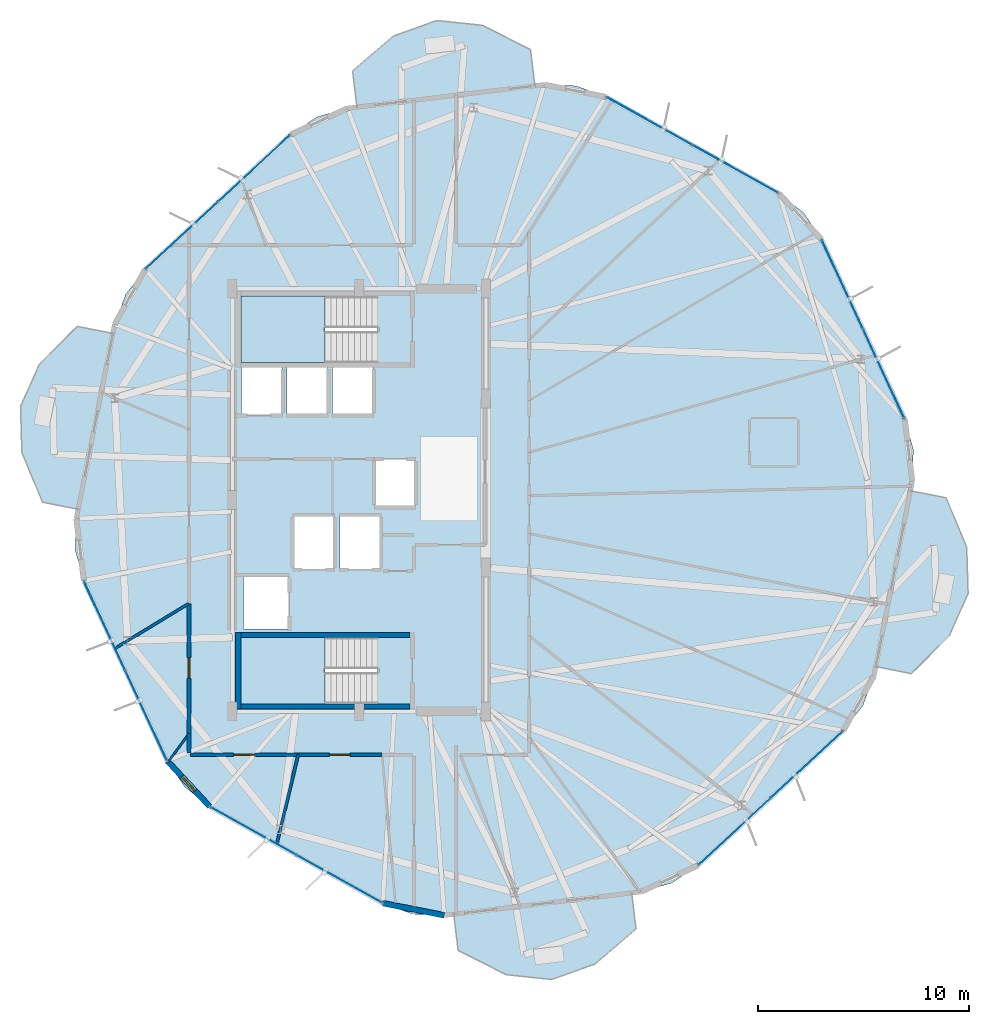
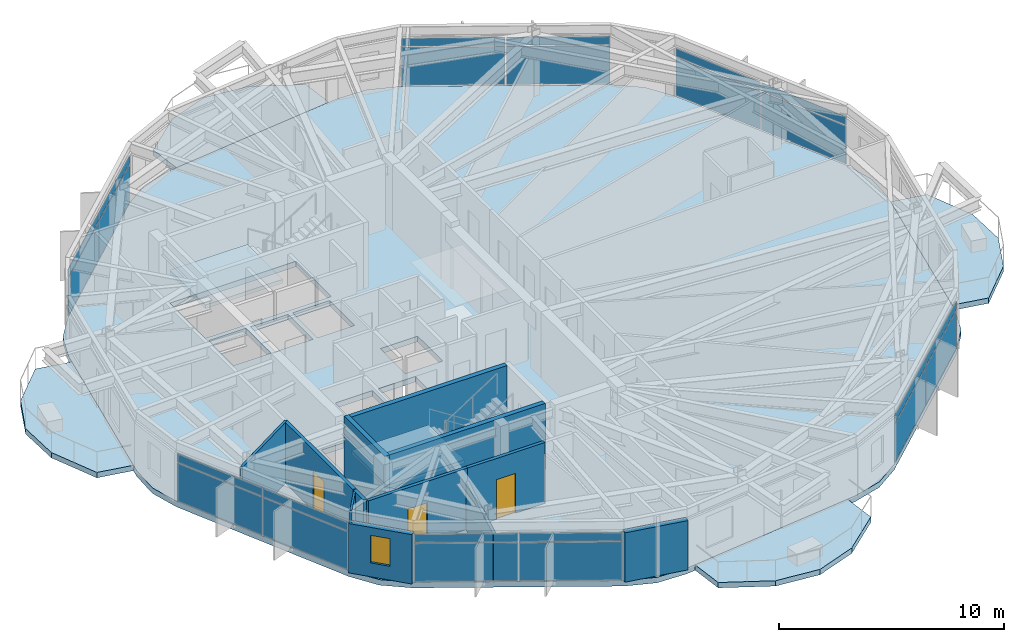
# One storey, part 18 of 25: 24 plates, 12 walls, 7 slabs, 3 doors, 1 window, 4 openings, 8 elements without a shape of their own.
"""IFC4 building model written with IfcOpenShell, lengths in metres."""

from ifc_helpers import new_model, si_unit, direction, frame, frame_2d, origin, origin_2d, place, context, subcontext, project, spatial, polyline, rectangle, outline, extrude, material, layer, layer_set, type_object, element, fill, aggregate, save


model = new_model("IFC4")

# Units and contexts
model_context = context("Model", 3, precision=1e-05, world=origin(), true_north=direction((0.0, 1.0)))
body_context = subcontext(model_context, "Body", "Model", "MODEL_VIEW")
ifc_project = project(units=[si_unit("LENGTHUNIT", "METRE"), si_unit("AREAUNIT", "SQUARE_METRE"), si_unit("VOLUMEUNIT", "CUBIC_METRE"), si_unit("PLANEANGLEUNIT", "RADIAN"), si_unit("MASSUNIT", "GRAM", prefix="KILO")], contexts=[model_context])

# Site, building, storey
site_placement = place(None, origin())
site = spatial("IfcSite", under=ifc_project, at=site_placement, CompositionType="ELEMENT")
building_placement = place(site_placement, origin())
building = spatial("IfcBuilding", under=site, at=building_placement, Name="Soratama Intermodal Tower", CompositionType="ELEMENT")
storey_placement = place(building_placement, frame((0.0, 0.0, 190.60009765625)))
storey = spatial("IfcBuildingStorey", under=building, at=storey_placement, Name="L47", CompositionType="ELEMENT", Elevation=190.60009765625)

# Curtain wall, plates
ifc_material_1 = material(Name="Double-glazed aluminium curtain wall", Category="aluminium")
ifc_layer_1 = layer(ifc_material_1, 0.159912109375)
ifc_layer_set_1 = layer_set([ifc_layer_1], Name="Double-glazed aluminium curtain wall")
curtain_wall_type = type_object("IfcCurtainWallType", Name="CW-SYS-5", PredefinedType="NOTDEFINED", material=ifc_layer_set_1)
curtain_wall_1_placement = place(storey_placement, origin())
curtain_wall_1 = element("IfcCurtainWall", 1, at=curtain_wall_1_placement, inside=storey, type_object=curtain_wall_type, Name="L47 Faceted Curtain Wall F01", PredefinedType="NOTDEFINED")
ifc_material_2 = material(Name="Low-E laminated double glazing", Category="glass")
ifc_layer_2 = layer(ifc_material_2, 0.02001953125)
ifc_layer_set_2 = layer_set([ifc_layer_2], Name="Low-E laminated double glazing")
plate_type = type_object("IfcPlateType", Name="PT-CWP-5", PredefinedType="CURTAIN_PANEL", material=ifc_layer_set_2)
plate_1_placement = place(storey_placement, frame((56.40869140625, 40.6640625, 0.059814453125), z_axis=(0.0, 0.0, 1.0), x_axis=(-0.873260880855, 0.487252946599, 0.0)))
plate_1 = element("IfcPlate", 2, at=plate_1_placement, type_object=plate_type, Name="CW-5 panel 1.1", PredefinedType="CURTAIN_PANEL", context=body_context, shape_type="SweptSolid", body=[
    extrude(rectangle(XDim=4.60107421875, YDim=0.028076171875, at=origin_2d()), origin(), (0.0, 0.0, 1.0), 2.06005859375),
])
plate_2_placement = place(storey_placement, frame((56.40869140625, 40.6640625, 2.179931640625), z_axis=(0.0, 0.0, 1.0), x_axis=(-0.873260880855, 0.487252946599, 0.0)))
plate_2 = element("IfcPlate", 3, at=plate_2_placement, type_object=plate_type, Name="CW-5 panel 1.2", PredefinedType="CURTAIN_PANEL", context=body_context, shape_type="SweptSolid", body=[
    extrude(rectangle(XDim=4.60107421875, YDim=0.028076171875, at=origin_2d()), origin(), (0.0, 0.0, 1.0), 0.43896484375),
])
plate_3_placement = place(storey_placement, frame((52.33837890625, 42.93505859375, 0.059814453125), z_axis=(0.0, 0.0, 1.0), x_axis=(-0.873260880855, 0.487252946599, 0.0)))
plate_3 = element("IfcPlate", 4, at=plate_3_placement, type_object=plate_type, Name="CW-5 panel 2.1", PredefinedType="CURTAIN_PANEL", context=body_context, shape_type="SweptSolid", body=[
    extrude(rectangle(XDim=4.60107421875, YDim=0.028076171875, at=origin_2d()), origin(), (0.0, 0.0, 1.0), 2.06005859375),
])
plate_4_placement = place(storey_placement, frame((52.33837890625, 42.93505859375, 2.179931640625), z_axis=(0.0, 0.0, 1.0), x_axis=(-0.873260880855, 0.487252946599, 0.0)))
plate_4 = element("IfcPlate", 5, at=plate_4_placement, type_object=plate_type, Name="CW-5 panel 2.2", PredefinedType="CURTAIN_PANEL", context=body_context, shape_type="SweptSolid", body=[
    extrude(rectangle(XDim=4.60107421875, YDim=0.028076171875, at=origin_2d()), origin(), (0.0, 0.0, 1.0), 0.43896484375),
])
aggregate(curtain_wall_1, [plate_1, plate_2, plate_3, plate_4])

curtain_wall_2_placement = place(storey_placement, origin())
curtain_wall_2 = element("IfcCurtainWall", 6, at=curtain_wall_2_placement, inside=storey, type_object=curtain_wall_type, Name="L47 Faceted Curtain Wall F03", PredefinedType="NOTDEFINED")
plate_5_placement = place(storey_placement, frame((33.628173828125, 40.69091796875, 0.059814453125), z_axis=(0.0, 0.0, 1.0), x_axis=(-0.733250765036, -0.679958318998, 0.0)))
plate_5 = element("IfcPlate", 7, at=plate_5_placement, type_object=plate_type, Name="CW-5 panel 1.1", PredefinedType="CURTAIN_PANEL", context=body_context, shape_type="SweptSolid", body=[
    extrude(rectangle(XDim=4.60107421875, YDim=0.028076171875, at=origin_2d()), origin(), (0.0, 0.0, 1.0), 2.06005859375),
])
plate_6_placement = place(storey_placement, frame((33.628173828125, 40.69091796875, 2.179931640625), z_axis=(0.0, 0.0, 1.0), x_axis=(-0.733250765036, -0.679958318998, 0.0)))
plate_6 = element("IfcPlate", 8, at=plate_6_placement, type_object=plate_type, Name="CW-5 panel 1.2", PredefinedType="CURTAIN_PANEL", context=body_context, shape_type="SweptSolid", body=[
    extrude(rectangle(XDim=4.60107421875, YDim=0.028076171875, at=origin_2d()), origin(), (0.0, 0.0, 1.0), 0.43896484375),
])
plate_7_placement = place(storey_placement, frame((30.21044921875, 37.521484375, 0.059814453125), z_axis=(0.0, 0.0, 1.0), x_axis=(-0.733250765036, -0.679958318998, 0.0)))
plate_7 = element("IfcPlate", 9, at=plate_7_placement, type_object=plate_type, Name="CW-5 panel 2.1", PredefinedType="CURTAIN_PANEL", context=body_context, shape_type="SweptSolid", body=[
    extrude(rectangle(XDim=4.60107421875, YDim=0.028076171875, at=origin_2d()), origin(), (0.0, 0.0, 1.0), 2.06005859375),
])
plate_8_placement = place(storey_placement, frame((30.21044921875, 37.521484375, 2.179931640625), z_axis=(0.0, 0.0, 1.0), x_axis=(-0.733250765036, -0.679958318998, 0.0)))
plate_8 = element("IfcPlate", 10, at=plate_8_placement, type_object=plate_type, Name="CW-5 panel 2.2", PredefinedType="CURTAIN_PANEL", context=body_context, shape_type="SweptSolid", body=[
    extrude(rectangle(XDim=4.60107421875, YDim=0.028076171875, at=origin_2d()), origin(), (0.0, 0.0, 1.0), 0.43896484375),
])
aggregate(curtain_wall_2, [plate_5, plate_6, plate_7, plate_8])

curtain_wall_3_placement = place(storey_placement, origin())
curtain_wall_3 = element("IfcCurtainWall", 11, at=curtain_wall_3_placement, inside=storey, type_object=curtain_wall_type, Name="L47 Faceted Curtain Wall F05", PredefinedType="NOTDEFINED")
plate_9_placement = place(storey_placement, frame((26.56298828125, 19.033447265625, 0.059814453125), z_axis=(0.0, 0.0, 1.0), x_axis=(0.42009203498, -0.907481505126, 0.0)))
plate_9 = element("IfcPlate", 12, at=plate_9_placement, type_object=plate_type, Name="CW-5 panel 1.1", PredefinedType="CURTAIN_PANEL", context=body_context, shape_type="SweptSolid", body=[
    extrude(rectangle(XDim=4.60107421875, YDim=0.028076171875, at=origin_2d()), origin(), (0.0, 0.0, 1.0), 2.06005859375),
])
plate_10_placement = place(storey_placement, frame((26.56298828125, 19.033447265625, 2.179931640625), z_axis=(0.0, 0.0, 1.0), x_axis=(0.42009203498, -0.907481505126, 0.0)))
plate_10 = element("IfcPlate", 13, at=plate_10_placement, type_object=plate_type, Name="CW-5 panel 1.2", PredefinedType="CURTAIN_PANEL", context=body_context, shape_type="SweptSolid", body=[
    extrude(rectangle(XDim=4.60107421875, YDim=0.028076171875, at=origin_2d()), origin(), (0.0, 0.0, 1.0), 0.43896484375),
])
plate_11_placement = place(storey_placement, frame((28.521240234375, 14.803466796875, 0.059814453125), z_axis=(0.0, 0.0, 1.0), x_axis=(0.42009203498, -0.907481505126, 0.0)))
plate_11 = element("IfcPlate", 14, at=plate_11_placement, type_object=plate_type, Name="CW-5 panel 2.1", PredefinedType="CURTAIN_PANEL", context=body_context, shape_type="SweptSolid", body=[
    extrude(rectangle(XDim=4.60107421875, YDim=0.028076171875, at=origin_2d()), origin(), (0.0, 0.0, 1.0), 2.06005859375),
])
plate_12_placement = place(storey_placement, frame((28.521240234375, 14.803466796875, 2.179931640625), z_axis=(0.0, 0.0, 1.0), x_axis=(0.42009203498, -0.907481505126, 0.0)))
plate_12 = element("IfcPlate", 15, at=plate_12_placement, type_object=plate_type, Name="CW-5 panel 2.2", PredefinedType="CURTAIN_PANEL", context=body_context, shape_type="SweptSolid", body=[
    extrude(rectangle(XDim=4.60107421875, YDim=0.028076171875, at=origin_2d()), origin(), (0.0, 0.0, 1.0), 0.43896484375),
])
aggregate(curtain_wall_3, [plate_9, plate_10, plate_11, plate_12])

curtain_wall_4_placement = place(storey_placement, origin())
curtain_wall_4 = element("IfcCurtainWall", 16, at=curtain_wall_4_placement, inside=storey, type_object=curtain_wall_type, Name="L47 Faceted Curtain Wall F06", PredefinedType="NOTDEFINED")
plate_13_placement = place(storey_placement, frame((33.59130859375, 9.3359375, 0.059814453125), z_axis=(0.0, 0.0, 1.0), x_axis=(0.873260880855, -0.487252946599, 0.0)))
plate_13 = element("IfcPlate", 17, at=plate_13_placement, type_object=plate_type, Name="CW-5 panel 1.1", PredefinedType="CURTAIN_PANEL", context=body_context, shape_type="SweptSolid", body=[
    extrude(rectangle(XDim=4.60107421875, YDim=0.028076171875, at=origin_2d()), origin(), (0.0, 0.0, 1.0), 2.06005859375),
])
plate_14_placement = place(storey_placement, frame((33.59130859375, 9.3359375, 2.179931640625), z_axis=(0.0, 0.0, 1.0), x_axis=(0.873260880855, -0.487252946599, 0.0)))
plate_14 = element("IfcPlate", 18, at=plate_14_placement, type_object=plate_type, Name="CW-5 panel 1.2", PredefinedType="CURTAIN_PANEL", context=body_context, shape_type="SweptSolid", body=[
    extrude(rectangle(XDim=4.60107421875, YDim=0.028076171875, at=origin_2d()), origin(), (0.0, 0.0, 1.0), 0.43896484375),
])
plate_15_placement = place(storey_placement, frame((37.66162109375, 7.06494140625, 0.059814453125), z_axis=(0.0, 0.0, 1.0), x_axis=(0.873260880855, -0.487252946599, 0.0)))
plate_15 = element("IfcPlate", 19, at=plate_15_placement, type_object=plate_type, Name="CW-5 panel 2.1", PredefinedType="CURTAIN_PANEL", context=body_context, shape_type="SweptSolid", body=[
    extrude(rectangle(XDim=4.60107421875, YDim=0.028076171875, at=origin_2d()), origin(), (0.0, 0.0, 1.0), 2.06005859375),
])
plate_16_placement = place(storey_placement, frame((37.66162109375, 7.06494140625, 2.179931640625), z_axis=(0.0, 0.0, 1.0), x_axis=(0.873260880855, -0.487252946599, 0.0)))
plate_16 = element("IfcPlate", 20, at=plate_16_placement, type_object=plate_type, Name="CW-5 panel 2.2", PredefinedType="CURTAIN_PANEL", context=body_context, shape_type="SweptSolid", body=[
    extrude(rectangle(XDim=4.60107421875, YDim=0.028076171875, at=origin_2d()), origin(), (0.0, 0.0, 1.0), 0.43896484375),
])
aggregate(curtain_wall_4, [plate_13, plate_14, plate_15, plate_16])

curtain_wall_5_placement = place(storey_placement, origin())
curtain_wall_5 = element("IfcCurtainWall", 21, at=curtain_wall_5_placement, inside=storey, type_object=curtain_wall_type, Name="L47 Faceted Curtain Wall F08", PredefinedType="NOTDEFINED")
plate_17_placement = place(storey_placement, frame((56.371826171875, 9.30908203125, 0.059814453125), z_axis=(0.0, 0.0, 1.0), x_axis=(0.733250765036, 0.679958318998, 0.0)))
plate_17 = element("IfcPlate", 22, at=plate_17_placement, type_object=plate_type, Name="CW-5 panel 1.1", PredefinedType="CURTAIN_PANEL", context=body_context, shape_type="SweptSolid", body=[
    extrude(rectangle(XDim=4.60107421875, YDim=0.028076171875, at=origin_2d()), origin(), (0.0, 0.0, 1.0), 2.06005859375),
])
plate_18_placement = place(storey_placement, frame((56.371826171875, 9.30908203125, 2.179931640625), z_axis=(0.0, 0.0, 1.0), x_axis=(0.733250765036, 0.679958318998, 0.0)))
plate_18 = element("IfcPlate", 23, at=plate_18_placement, type_object=plate_type, Name="CW-5 panel 1.2", PredefinedType="CURTAIN_PANEL", context=body_context, shape_type="SweptSolid", body=[
    extrude(rectangle(XDim=4.60107421875, YDim=0.028076171875, at=origin_2d()), origin(), (0.0, 0.0, 1.0), 0.43896484375),
])
plate_19_placement = place(storey_placement, frame((59.78955078125, 12.478515625, 0.059814453125), z_axis=(0.0, 0.0, 1.0), x_axis=(0.733250765036, 0.679958318998, 0.0)))
plate_19 = element("IfcPlate", 24, at=plate_19_placement, type_object=plate_type, Name="CW-5 panel 2.1", PredefinedType="CURTAIN_PANEL", context=body_context, shape_type="SweptSolid", body=[
    extrude(rectangle(XDim=4.60107421875, YDim=0.028076171875, at=origin_2d()), origin(), (0.0, 0.0, 1.0), 2.06005859375),
])
plate_20_placement = place(storey_placement, frame((59.78955078125, 12.478515625, 2.179931640625), z_axis=(0.0, 0.0, 1.0), x_axis=(0.733250765036, 0.679958318998, 0.0)))
plate_20 = element("IfcPlate", 25, at=plate_20_placement, type_object=plate_type, Name="CW-5 panel 2.2", PredefinedType="CURTAIN_PANEL", context=body_context, shape_type="SweptSolid", body=[
    extrude(rectangle(XDim=4.60107421875, YDim=0.028076171875, at=origin_2d()), origin(), (0.0, 0.0, 1.0), 0.43896484375),
])
aggregate(curtain_wall_5, [plate_17, plate_18, plate_19, plate_20])

curtain_wall_6_placement = place(storey_placement, origin())
curtain_wall_6 = element("IfcCurtainWall", 26, at=curtain_wall_6_placement, inside=storey, type_object=curtain_wall_type, Name="L47 Faceted Curtain Wall F10", PredefinedType="NOTDEFINED")
plate_21_placement = place(storey_placement, frame((63.43701171875, 30.966552734375, 0.059814453125), z_axis=(0.0, 0.0, 1.0), x_axis=(-0.42009203498, 0.907481505126, 0.0)))
plate_21 = element("IfcPlate", 27, at=plate_21_placement, type_object=plate_type, Name="CW-5 panel 1.1", PredefinedType="CURTAIN_PANEL", context=body_context, shape_type="SweptSolid", body=[
    extrude(rectangle(XDim=4.60107421875, YDim=0.028076171875, at=origin_2d()), origin(), (0.0, 0.0, 1.0), 2.06005859375),
])
plate_22_placement = place(storey_placement, frame((63.43701171875, 30.966552734375, 2.179931640625), z_axis=(0.0, 0.0, 1.0), x_axis=(-0.42009203498, 0.907481505126, 0.0)))
plate_22 = element("IfcPlate", 28, at=plate_22_placement, type_object=plate_type, Name="CW-5 panel 1.2", PredefinedType="CURTAIN_PANEL", context=body_context, shape_type="SweptSolid", body=[
    extrude(rectangle(XDim=4.60107421875, YDim=0.028076171875, at=origin_2d()), origin(), (0.0, 0.0, 1.0), 0.43896484375),
])
plate_23_placement = place(storey_placement, frame((61.478759765625, 35.196533203125, 0.059814453125), z_axis=(0.0, 0.0, 1.0), x_axis=(-0.42009203498, 0.907481505126, 0.0)))
plate_23 = element("IfcPlate", 29, at=plate_23_placement, type_object=plate_type, Name="CW-5 panel 2.1", PredefinedType="CURTAIN_PANEL", context=body_context, shape_type="SweptSolid", body=[
    extrude(rectangle(XDim=4.60107421875, YDim=0.028076171875, at=origin_2d()), origin(), (0.0, 0.0, 1.0), 2.06005859375),
])
plate_24_placement = place(storey_placement, frame((61.478759765625, 35.196533203125, 2.179931640625), z_axis=(0.0, 0.0, 1.0), x_axis=(-0.42009203498, 0.907481505126, 0.0)))
plate_24 = element("IfcPlate", 30, at=plate_24_placement, type_object=plate_type, Name="CW-5 panel 2.2", PredefinedType="CURTAIN_PANEL", context=body_context, shape_type="SweptSolid", body=[
    extrude(rectangle(XDim=4.60107421875, YDim=0.028076171875, at=origin_2d()), origin(), (0.0, 0.0, 1.0), 0.43896484375),
])
aggregate(curtain_wall_6, [plate_21, plate_22, plate_23, plate_24])

# Slabs
ifc_material_3 = material(Name="Concrete f'c 42 MPa", Category="concrete")
ifc_layer_3 = layer(ifc_material_3, 0.2900390625)
ifc_layer_set_3 = layer_set([ifc_layer_3], Name="Concrete f'c 42 MPa")
slab_type_1 = type_object("IfcSlabType", Name="SL-EXT-BAL2", PredefinedType="FLOOR", material=ifc_layer_set_3)
slab_1_placement = place(storey_placement, frame((0.0, 0.0, -0.2900390625)))
element("IfcSlab", 31, at=slab_1_placement, inside=storey, type_object=slab_type_1, Name="L47 Planted Balcony East 1", PredefinedType="FLOOR", context=body_context, shape_type="SweptSolid", body=[
    extrude(outline(polyline([(63.052978515625, 17.11572265625), (64.69482421875, 25.4375), (66.38232421875, 25.1044921875), (67.3603515625, 22.750244140625), (67.425537109375, 20.575927734375), (66.539306640625, 18.58935546875), (64.740478515625, 16.78271484375), (63.052978515625, 17.11572265625)])), origin(), (0.0, 0.0, 1.0), 0.2900390625),
])
slab_2_placement = place(storey_placement, frame((0.0, 0.0, -0.2900390625)))
element("IfcSlab", 32, at=slab_2_placement, inside=storey, type_object=slab_type_1, Name="L47 Planted Balcony North 2", PredefinedType="FLOOR", context=body_context, shape_type="SweptSolid", body=[
    extrude(outline(polyline([(46.919677734375, 44.60595703125), (38.497802734375, 43.595703125), (38.29296875, 45.303466796875), (40.22998046875, 46.961181640625), (42.277587890625, 47.695068359375), (44.44091796875, 47.46630859375), (46.71484375, 46.313720703125), (46.919677734375, 44.60595703125)])), origin(), (0.0, 0.0, 1.0), 0.2900390625),
])
slab_3_placement = place(storey_placement, frame((0.0, 0.0, -0.2900390625)))
element("IfcSlab", 33, at=slab_3_placement, inside=storey, type_object=slab_type_1, Name="L47 Planted Balcony West 3", PredefinedType="FLOOR", context=body_context, shape_type="SweptSolid", body=[
    extrude(outline(polyline([(26.947021484375, 32.88427734375), (25.30517578125, 24.5625), (23.61767578125, 24.8955078125), (22.6396484375, 27.249755859375), (22.574462890625, 29.424072265625), (23.460693359375, 31.41064453125), (25.259521484375, 33.21728515625), (26.947021484375, 32.88427734375)])), origin(), (0.0, 0.0, 1.0), 0.2900390625),
])
slab_4_placement = place(storey_placement, frame((0.0, 0.0, -0.2900390625)))
element("IfcSlab", 34, at=slab_4_placement, inside=storey, type_object=slab_type_1, Name="L47 Planted Balcony South 4", PredefinedType="FLOOR", context=body_context, shape_type="SweptSolid", body=[
    extrude(outline(polyline([(43.080322265625, 5.39404296875), (51.502197265625, 6.404296875), (51.70703125, 4.696533203125), (49.77001953125, 3.038818359375), (47.722412109375, 2.304931640625), (45.55908203125, 2.53369140625), (43.28515625, 3.686279296875), (43.080322265625, 5.39404296875)])), origin(), (0.0, 0.0, 1.0), 0.2900390625),
])

# Stair, slab
ifc_material_4 = material(Name="Concrete f'c 42 MPa", Category="concrete")
stair_type = type_object("IfcStairType", Name="ST-CORE-DOGLEG", PredefinedType="HALF_TURN_STAIR", material=ifc_material_4)
stair_1_placement = place(storey_placement, origin())
stair_1 = element("IfcStair", 35, at=stair_1_placement, inside=storey, type_object=stair_type, Name="L47 ST-1", PredefinedType="HALF_TURN_STAIR")
ifc_material_5 = material(Name="Concrete f'c 42 MPa", Category="concrete")
ifc_layer_4 = layer(ifc_material_5, 0.219970703125)
ifc_layer_set_4 = layer_set([ifc_layer_4], Name="Concrete f'c 42 MPa")
slab_type_2 = type_object("IfcSlabType", Name="SL-STAIR-LAND", PredefinedType="LANDING", material=ifc_layer_set_4)
slab_5_placement = place(storey_placement, frame((0.0, 0.0, 1.599853515625)))
slab_5 = element("IfcSlab", 36, at=slab_5_placement, type_object=slab_type_2, Name="ST-1 landing 1", PredefinedType="LANDING", context=body_context, shape_type="SweptSolid", body=[
    extrude(outline(polyline([(36.97998046875, 18.5), (33.0, 18.5), (33.0, 15.35009765625), (36.97998046875, 15.35009765625), (36.97998046875, 18.5)])), origin(), (0.0, 0.0, 1.0), 0.199951171875),
])
aggregate(stair_1, [slab_5])

stair_2_placement = place(storey_placement, origin())
stair_2 = element("IfcStair", 37, at=stair_2_placement, inside=storey, type_object=stair_type, Name="L47 ST-2", PredefinedType="HALF_TURN_STAIR")
slab_6_placement = place(storey_placement, frame((0.0, 0.0, 1.599853515625)))
slab_6 = element("IfcSlab", 38, at=slab_6_placement, type_object=slab_type_2, Name="ST-2 landing 1", PredefinedType="LANDING", context=body_context, shape_type="SweptSolid", body=[
    extrude(outline(polyline([(36.97998046875, 34.64990234375), (33.0, 34.64990234375), (33.0, 31.5), (36.97998046875, 31.5), (36.97998046875, 34.64990234375)])), origin(), (0.0, 0.0, 1.0), 0.199951171875),
])
aggregate(stair_2, [slab_6])

# Slab
ifc_material_6 = material(Name="Concrete f'c 42 MPa", Category="concrete")
ifc_layer_5 = layer(ifc_material_6, 0.280029296875)
ifc_layer_set_5 = layer_set([ifc_layer_5], Name="Concrete f'c 42 MPa")
slab_type_3 = type_object("IfcSlabType", Name="SL-TWR-280", PredefinedType="FLOOR", material=ifc_layer_set_5)
slab_7_placement = place(storey_placement, frame((0.0, 0.0, -0.300048828125)))
element("IfcSlab", 39, at=slab_7_placement, inside=storey, type_object=slab_type_3, Name="L47 Structural Floor Slab", PredefinedType="FLOOR", context=body_context, shape_type="SweptSolid", body=[
    extrude(outline(polyline([(60.4873046875, 37.338623046875), (59.65087890625, 38.5859375), (58.47021484375, 39.513916015625), (50.277099609375, 44.085205078125), (48.8671875, 44.602783203125), (47.366455078125, 44.659423828125), (38.051025390625, 43.5419921875), (36.6064453125, 43.132080078125), (35.35888671875, 42.2958984375), (28.4794921875, 35.91650390625), (27.551513671875, 34.735595703125), (27.033935546875, 33.32568359375), (25.218017578125, 24.12109375), (25.16162109375, 22.620361328125), (25.5712890625, 21.175537109375), (29.5126953125, 12.661376953125), (30.34912109375, 11.4140625), (31.52978515625, 10.486083984375), (39.722900390625, 5.914794921875), (41.1328125, 5.397216796875), (42.633544921875, 5.340576171875), (51.948974609375, 6.4580078125), (53.3935546875, 6.867919921875), (54.64111328125, 7.7041015625), (61.5205078125, 14.08349609375), (62.448486328125, 15.264404296875), (62.966064453125, 16.67431640625), (64.781982421875, 25.87890625), (64.83837890625, 27.379638671875), (64.4287109375, 28.824462890625), (60.4873046875, 37.338623046875)]), holes=[polyline([(33.0, 18.5), (33.0, 15.35009765625), (39.47509765625, 15.35009765625), (39.47509765625, 18.5), (33.0, 18.5)]), polyline([(35.260009765625, 21.409912109375), (33.139892578125, 21.409912109375), (33.139892578125, 18.889892578125), (35.260009765625, 18.889892578125), (35.260009765625, 21.409912109375)]), polyline([(37.409912109375, 24.260009765625), (35.489990234375, 24.260009765625), (35.489990234375, 21.739990234375), (37.409912109375, 21.739990234375), (37.409912109375, 24.260009765625)]), polyline([(39.610107421875, 24.260009765625), (37.68994140625, 24.260009765625), (37.68994140625, 21.739990234375), (39.610107421875, 21.739990234375), (39.610107421875, 24.260009765625)]), polyline([(41.260009765625, 26.909912109375), (39.340087890625, 26.909912109375), (39.340087890625, 24.68994140625), (41.260009765625, 24.68994140625), (41.260009765625, 26.909912109375)]), polyline([(34.9599609375, 31.260009765625), (33.0400390625, 31.260009765625), (33.0400390625, 29.0400390625), (34.9599609375, 29.0400390625), (34.9599609375, 31.260009765625)]), polyline([(37.110107421875, 31.260009765625), (35.18994140625, 31.260009765625), (35.18994140625, 29.0400390625), (37.110107421875, 29.0400390625), (37.110107421875, 31.260009765625)]), polyline([(39.260009765625, 29.0400390625), (39.260009765625, 31.260009765625), (37.340087890625, 31.260009765625), (37.340087890625, 29.0400390625), (39.260009765625, 29.0400390625)]), polyline([(39.47509765625, 34.64990234375), (33.0, 34.64990234375), (33.0, 31.5), (39.47509765625, 31.5), (39.47509765625, 34.64990234375)])]), origin(), (0.0, 0.0, 1.0), 0.300048828125),
])

# Wall, opening, window
ifc_material_7 = material(Name="Concrete f'c 42 MPa", Category="concrete")
ifc_layer_6 = layer(ifc_material_7, 0.27001953125)
ifc_layer_set_6 = layer_set([ifc_layer_6], Name="Concrete f'c 42 MPa")
wall_type_1 = type_object("IfcWallType", Name="EW-CRN-270", PredefinedType="SOLIDWALL", material=ifc_layer_set_6)
wall_1_placement = place(storey_placement, frame((29.5126953125, 12.661376953125, 0.0), z_axis=(0.0, 0.0, 1.0), x_axis=(0.679939563614, -0.733268156838, 0.0)))
wall_1 = element("IfcWall", 40, at=wall_1_placement, inside=storey, type_object=wall_type_1, Name="L47 Corner Closure Wall 05", PredefinedType="SOLIDWALL", context=body_context, shape_type="SweptSolid", body=[
    extrude(rectangle(XDim=2.966552734375, YDim=0.27001953125, at=frame_2d((1.4833984375, 0.0))), origin(), (0.0, 0.0, 1.0), 2.678955078125),
])
opening_1_placement = place(wall_1_placement, frame((1.033203125, 0.0, 0.75)))
opening_1 = element("IfcOpeningElement", 41, at=opening_1_placement, cuts=wall_1, Name="Opening WN-6", PredefinedType="OPENING", context=body_context, shape_type="SweptSolid", body=[
    extrude(rectangle(XDim=0.89990234375, YDim=1.5, at=frame_2d((0.449951171875, 0.75))), frame((0.0, 0.14501953125, 0.0), z_axis=(0.0, -1.0, 0.0), x_axis=(1.0, 0.0, 0.0)), (0.0, 0.0, 1.0), 0.2900390625),
])
ifc_material_8 = material(Name="Double-glazed aluminium window", Category="aluminium")
window_type = type_object("IfcWindowType", Name="WN-FAC-900", PartitioningType="SINGLE_PANEL", PredefinedType="WINDOW", material=ifc_material_8)
window_placement = place(opening_1_placement, origin())
window = element("IfcWindow", 42, at=window_placement, inside=storey, type_object=window_type, Name="L47 Corner Window 05", OverallHeight=1.5, OverallWidth=0.89990234375, PartitioningType="SINGLE_PANEL", PredefinedType="WINDOW", context=body_context, shape_type="SweptSolid", body=[
    extrude(rectangle(XDim=0.89990234375, YDim=1.5, at=frame_2d((0.449951171875, 0.75))), frame((0.0, 0.030029296875, 0.0), z_axis=(0.0, -1.0, 0.0), x_axis=(1.0, 0.0, 0.0)), (0.0, 0.0, 1.0), 0.06005859375),
])
fill(opening_1, window)

# Wall
wall_2_placement = place(storey_placement, frame((39.722900390625, 5.914794921875, 0.0), z_axis=(0.0, 0.0, 1.0), x_axis=(0.981090069254, -0.193551739883, 0.0)))
element("IfcWall", 43, at=wall_2_placement, inside=storey, type_object=wall_type_1, Name="L47 Corner Closure Wall 06", PredefinedType="SOLIDWALL", context=body_context, shape_type="SweptSolid", body=[
    extrude(rectangle(XDim=2.966796875, YDim=0.27001953125, at=frame_2d((1.4833984375, 0.0))), origin(), (0.0, 0.0, 1.0), 2.678955078125),
])

# Wall, opening, door
ifc_material_9 = material(Name="Fire-rated gypsum stud partition", Category="concrete")
ifc_layer_7 = layer(ifc_material_9, 0.169921875)
ifc_layer_set_7 = layer_set([ifc_layer_7], Name="Fire-rated gypsum stud partition")
wall_type_2 = type_object("IfcWallType", Name="IW-PART-R170", PredefinedType="PARTITIONING", material=ifc_layer_set_7)
wall_3_placement = place(storey_placement, frame((30.550048828125, 13.950927734375, 0.0), z_axis=(0.0, 0.0, 1.0), x_axis=(0.0, 1.0, 0.0)))
wall_3 = element("IfcWall", 44, at=wall_3_placement, inside=storey, type_object=wall_type_2, Name="L47 Partition W-L47-TP019", PredefinedType="PARTITIONING", context=body_context, shape_type="SweptSolid", body=[
    extrude(rectangle(XDim=6.155029296875, YDim=0.169921875, at=frame_2d((3.07763671875, 0.0))), origin(), (0.0, 0.0, 1.0), 3.2998046875),
])
opening_2_placement = place(wall_3_placement, frame((2.60302734375, 0.0, 0.0)))
opening_2 = element("IfcOpeningElement", 45, at=opening_2_placement, cuts=wall_3, Name="Opening ID-5", PredefinedType="OPENING", context=body_context, shape_type="SweptSolid", body=[
    extrude(rectangle(XDim=0.97998046875, YDim=2.14990234375, at=frame_2d((0.489990234375, 1.074951171875))), frame((0.0, 0.094970703125, 0.0), z_axis=(0.0, -1.0, 0.0), x_axis=(1.0, 0.0, 0.0)), (0.0, 0.0, 1.0), 0.18994140625),
])
ifc_material_10 = material(Name="Solid hardwood acoustic door", Category="wood")
door_type = type_object("IfcDoorType", Name="DR-OFF-980", OperationType="NOTDEFINED", PredefinedType="DOOR", material=ifc_material_10)
door_1_placement = place(opening_2_placement, origin())
door_1 = element("IfcDoor", 46, at=door_1_placement, inside=storey, type_object=door_type, Name="L47 Door D-L47-TP007", OperationType="SINGLE_SWING_RIGHT", OverallHeight=2.14990234375, OverallWidth=0.97998046875, PredefinedType="DOOR", context=body_context, shape_type="SweptSolid", body=[
    extrude(rectangle(XDim=0.97998046875, YDim=2.14990234375, at=frame_2d((0.489990234375, 1.074951171875))), frame((0.0, 0.02490234375, 0.0), z_axis=(0.0, -1.0, 0.0), x_axis=(1.0, 0.0, 0.0)), (0.0, 0.0, 1.0), 0.050048828125),
])
fill(opening_2, door_1)

wall_4_placement = place(storey_placement, frame((35.718994140625, 12.949951171875, 0.0), z_axis=(0.0, 0.0, 1.0), x_axis=(-1.0, 0.0, 0.0)))
wall_4 = element("IfcWall", 47, at=wall_4_placement, inside=storey, type_object=wall_type_2, Name="L47 Partition W-L47-TP020", PredefinedType="PARTITIONING", context=body_context, shape_type="SweptSolid", body=[
    extrude(rectangle(XDim=5.098876953125, YDim=0.169921875, at=frame_2d((2.54931640625, 0.0))), origin(), (0.0, 0.0, 1.0), 3.2998046875),
])
opening_3_placement = place(wall_4_placement, frame((2.074951171875, 0.0, 0.0)))
opening_3 = element("IfcOpeningElement", 48, at=opening_3_placement, cuts=wall_4, Name="Opening ID-5", PredefinedType="OPENING", context=body_context, shape_type="SweptSolid", body=[
    extrude(rectangle(XDim=0.97998046875, YDim=2.14990234375, at=frame_2d((0.489990234375, 1.074951171875))), frame((0.0, 0.094970703125, 0.0), z_axis=(0.0, -1.0, 0.0), x_axis=(1.0, 0.0, 0.0)), (0.0, 0.0, 1.0), 0.18994140625),
])
door_2_placement = place(opening_3_placement, origin())
door_2 = element("IfcDoor", 49, at=door_2_placement, inside=storey, type_object=door_type, Name="L47 Door D-L47-TP008", OperationType="SINGLE_SWING_LEFT", OverallHeight=2.14990234375, OverallWidth=0.97998046875, PredefinedType="DOOR", context=body_context, shape_type="SweptSolid", body=[
    extrude(rectangle(XDim=0.97998046875, YDim=2.14990234375, at=frame_2d((0.489990234375, 1.074951171875))), frame((0.0, 0.02490234375, 0.0), z_axis=(0.0, -1.0, 0.0), x_axis=(1.0, 0.0, 0.0)), (0.0, 0.0, 1.0), 0.050048828125),
])
fill(opening_3, door_2)

wall_5_placement = place(storey_placement, frame((39.68701171875, 12.949951171875, 0.0), z_axis=(0.0, 0.0, 1.0), x_axis=(-1.0, 0.0, 0.0)))
wall_5 = element("IfcWall", 50, at=wall_5_placement, inside=storey, type_object=wall_type_2, Name="L47 Partition W-L47-TP028", PredefinedType="PARTITIONING", context=body_context, shape_type="SweptSolid", body=[
    extrude(rectangle(XDim=3.968017578125, YDim=0.169921875, at=frame_2d((1.98388671875, 0.0))), origin(), (0.0, 0.0, 1.0), 3.2998046875),
])
opening_4_placement = place(wall_5_placement, frame((1.509033203125, 0.0, 0.0)))
opening_4 = element("IfcOpeningElement", 51, at=opening_4_placement, cuts=wall_5, Name="Opening ID-5", PredefinedType="OPENING", context=body_context, shape_type="SweptSolid", body=[
    extrude(rectangle(XDim=0.97998046875, YDim=2.14990234375, at=frame_2d((0.489990234375, 1.074951171875))), frame((0.0, 0.094970703125, 0.0), z_axis=(0.0, -1.0, 0.0), x_axis=(1.0, 0.0, 0.0)), (0.0, 0.0, 1.0), 0.18994140625),
])
door_3_placement = place(opening_4_placement, origin())
door_3 = element("IfcDoor", 52, at=door_3_placement, inside=storey, type_object=door_type, Name="L47 Door D-L47-TP012", OperationType="SINGLE_SWING_LEFT", OverallHeight=2.14990234375, OverallWidth=0.97998046875, PredefinedType="DOOR", context=body_context, shape_type="SweptSolid", body=[
    extrude(rectangle(XDim=0.97998046875, YDim=2.14990234375, at=frame_2d((0.489990234375, 1.074951171875))), frame((0.0, 0.02490234375, 0.0), z_axis=(0.0, -1.0, 0.0), x_axis=(1.0, 0.0, 0.0)), (0.0, 0.0, 1.0), 0.050048828125),
])
fill(opening_4, door_3)

# Walls
wall_6_placement = place(storey_placement, frame((30.550048828125, 13.02001953125, 0.0), z_axis=(0.0, 0.0, 1.0), x_axis=(0.0, 1.0, 0.0)))
element("IfcWall", 53, at=wall_6_placement, inside=storey, type_object=wall_type_2, Name="L47 Partition W-L47-TP049", PredefinedType="PARTITIONING", context=body_context, shape_type="SweptSolid", body=[
    extrude(rectangle(XDim=0.930908203125, YDim=0.169921875, at=frame_2d((0.46533203125, 0.0))), origin(), (0.0, 0.0, 1.0), 3.2998046875),
])
ifc_material_11 = material(Name="Fire-rated gypsum stud partition", Category="concrete")
ifc_layer_8 = layer(ifc_material_11, 0.10009765625)
ifc_layer_set_8 = layer_set([ifc_layer_8], Name="Fire-rated gypsum stud partition")
wall_type_3 = type_object("IfcWallType", Name="IW-PART-S100", PredefinedType="PARTITIONING", material=ifc_layer_set_8)
wall_7_placement = place(storey_placement, frame((30.550048828125, 13.950927734375, 0.0), z_axis=(0.0, 0.0, 1.0), x_axis=(-0.588836336306, -0.808252292942, 0.0)))
element("IfcWall", 54, at=wall_7_placement, inside=storey, type_object=wall_type_3, Name="L47 Partition W-L47-TP045", PredefinedType="PARTITIONING", context=body_context, shape_type="SweptSolid", body=[
    extrude(rectangle(XDim=1.68115234375, YDim=0.10009765625, at=frame_2d((0.840576171875, 0.0))), origin(), (0.0, 0.0, 1.0), 3.2998046875),
])
ifc_material_12 = material(Name="Fire-rated gypsum stud partition", Category="concrete")
ifc_layer_9 = layer(ifc_material_12, 0.1298828125)
ifc_layer_set_9 = layer_set([ifc_layer_9], Name="Fire-rated gypsum stud partition")
wall_type_4 = type_object("IfcWallType", Name="IW-PART-S130", PredefinedType="PARTITIONING", material=ifc_layer_set_9)
wall_8_placement = place(storey_placement, frame((30.550048828125, 20.10595703125, 0.0), z_axis=(0.0, 0.0, 1.0), x_axis=(-0.854511563414, -0.519432370951, 0.0)))
element("IfcWall", 55, at=wall_8_placement, inside=storey, type_object=wall_type_4, Name="L47 Partition W-L47-TP027", PredefinedType="PARTITIONING", context=body_context, shape_type="SweptSolid", body=[
    extrude(rectangle(XDim=4.0947265625, YDim=0.1298828125, at=frame_2d((2.04736328125, 0.0))), origin(), (0.0, 0.0, 1.0), 3.2998046875),
])
ifc_material_13 = material(Name="Fire-rated gypsum stud partition", Category="concrete")
ifc_layer_10 = layer(ifc_material_13, 0.139892578125)
ifc_layer_set_10 = layer_set([ifc_layer_10], Name="Fire-rated gypsum stud partition")
wall_type_5 = type_object("IfcWallType", Name="IW-PART-S140", PredefinedType="PARTITIONING", material=ifc_layer_set_10)
wall_9_placement = place(storey_placement, frame((35.718994140625, 12.949951171875, 0.0), z_axis=(0.0, 0.0, 1.0), x_axis=(-0.232789903954, -0.972527048784, 0.0)))
element("IfcWall", 56, at=wall_9_placement, inside=storey, type_object=wall_type_5, Name="L47 Partition W-L47-TP026", PredefinedType="PARTITIONING", context=body_context, shape_type="SweptSolid", body=[
    extrude(rectangle(XDim=4.35546875, YDim=0.139892578125, at=frame_2d((2.177734375, 0.0))), origin(), (0.0, 0.0, 1.0), 2.594970703125),
])
ifc_material_14 = material(Name="Concrete f'c 56 MPa", Category="concrete")
ifc_layer_11 = layer(ifc_material_14, 0.239990234375)
ifc_layer_set_11 = layer_set([ifc_layer_11], Name="Concrete f'c 56 MPa")
wall_type_6 = type_object("IfcWallType", Name="SW-STAIR-240", PredefinedType="SHEAR", material=ifc_layer_set_11)
wall_10_placement = place(storey_placement, frame((32.8798828125, 15.110107421875, 0.0), z_axis=(0.0, 0.0, 1.0), x_axis=(0.0, 1.0, 0.0)))
element("IfcWall", 57, at=wall_10_placement, inside=storey, type_object=wall_type_6, Name="L47 ST-1 Shaft Shear Wall W", PredefinedType="SHEAR", context=body_context, shape_type="SweptSolid", body=[
    extrude(rectangle(XDim=3.6298828125, YDim=0.239990234375, at=frame_2d((1.81494140625, 0.0))), origin(), (0.0, 0.0, 1.0), 3.599853515625),
])
for number, where, z_axis, x_axis, name in (
    (58, (33.0, 15.22998046875, 0.0), (0.0, 0.0, 1.0), (1.0, 0.0, 0.0), "L47 ST-1 Shaft Shear Wall S"),
    (59, (33.0, 18.6201171875, 0.0), (0.0, 0.0, 1.0), (1.0, 0.0, 0.0), "L47 ST-1 Shaft Shear Wall N"),
):
    element("IfcWall", number, at=place(storey_placement, frame(where, z_axis=z_axis, x_axis=x_axis)), inside=storey, type_object=wall_type_6, Name=name, PredefinedType="SHEAR", context=body_context, shape_type="SweptSolid", body=[
        extrude(rectangle(XDim=8.0, YDim=0.239990234375, at=frame_2d((4.0, 0.0))), origin(), (0.0, 0.0, 1.0), 3.599853515625),
    ])

save(model, "model.ifc")
